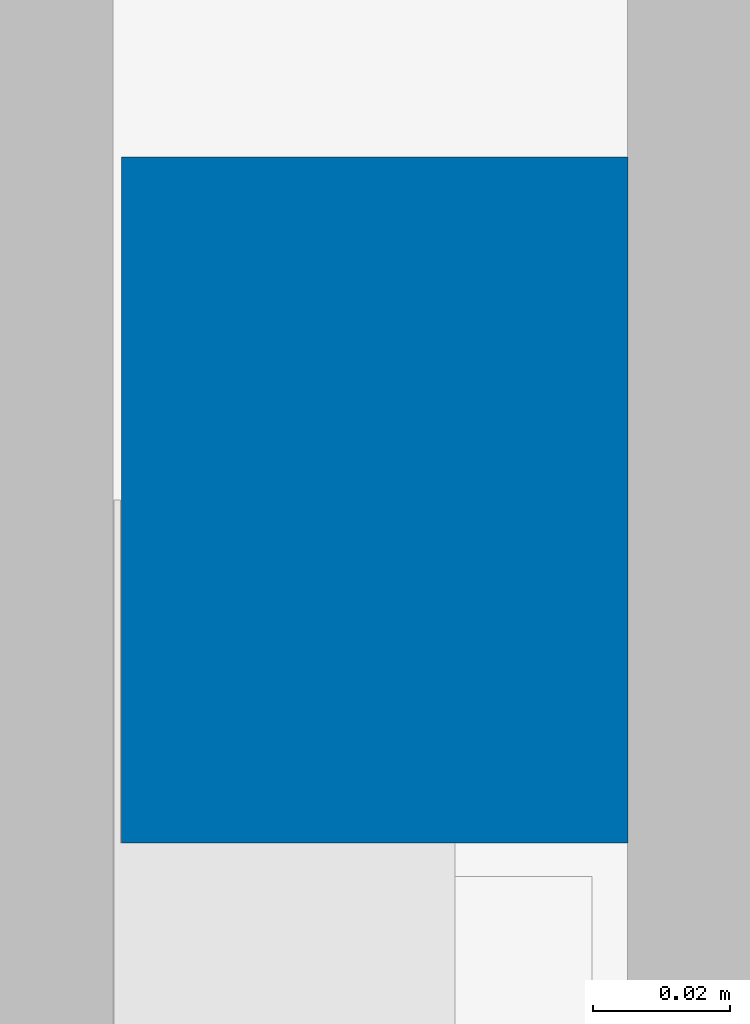
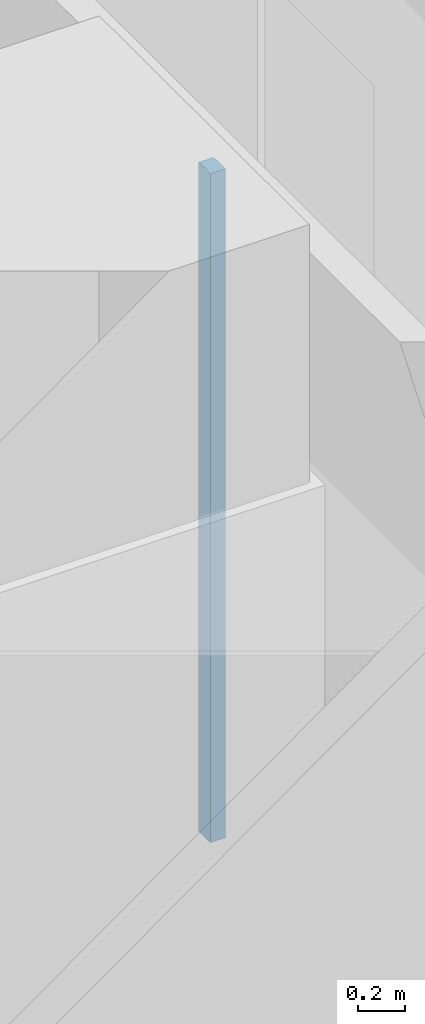
# One storey, part 5 of 18: 1 wall.
"""IFC4 building model written with IfcOpenShell, lengths in metres."""

from ifc_helpers import new_model, si_unit, direction, frame, frame_2d, origin, place, context, subcontext, project, spatial, rectangle, extrude, material, layer, layer_set, type_object, element, save


model = new_model("IFC4")

# Units and contexts
model_context = context("Model", 3, precision=1e-05, world=origin(), true_north=direction((0.0, 1.0)))
body_context = subcontext(model_context, "Body", "Model", "MODEL_VIEW")
ifc_project = project(units=[si_unit("LENGTHUNIT", "METRE"), si_unit("AREAUNIT", "SQUARE_METRE"), si_unit("VOLUMEUNIT", "CUBIC_METRE"), si_unit("PLANEANGLEUNIT", "RADIAN"), si_unit("MASSUNIT", "GRAM", prefix="KILO")], contexts=[model_context])

# Site, building, storey
site_placement = place(None, origin())
site = spatial("IfcSite", under=ifc_project, at=site_placement, CompositionType="ELEMENT")
building_placement = place(site_placement, origin())
building = spatial("IfcBuilding", under=site, at=building_placement, Name="Sheger Commons Tower", CompositionType="ELEMENT")
storey_placement = place(building_placement, frame((0.0, 0.0, 35.0)))
storey = spatial("IfcBuildingStorey", under=building, at=storey_placement, Name="L08", CompositionType="ELEMENT", Elevation=35.0)

# Wall
ifc_material = material(Name="Gypsum board on steel studs", Category="steel")
ifc_layer = layer(ifc_material, 0.10009765625)
ifc_layer_set = layer_set([ifc_layer], Name="PARTITION 100")
wall_type = type_object("IfcWallType", Name="PARTITION 100", PredefinedType="PARTITIONING", material=ifc_layer_set)
wall_placement = place(storey_placement, frame((8.10107421875, 15.0, 0.0), z_axis=(0.0, 0.0, 1.0), x_axis=(1.0, 0.0, 0.0)))
element("IfcWall", 1, at=wall_placement, inside=storey, type_object=wall_type, Name="Partition L08", PredefinedType="PARTITIONING", context=body_context, shape_type="SweptSolid", body=[
    extrude(rectangle(XDim=0.073974609375, YDim=0.10009765625, at=frame_2d((0.037109375, 0.0))), origin(), (0.0, 0.0, 1.0), 3.5),
])

save(model, "model.ifc")
